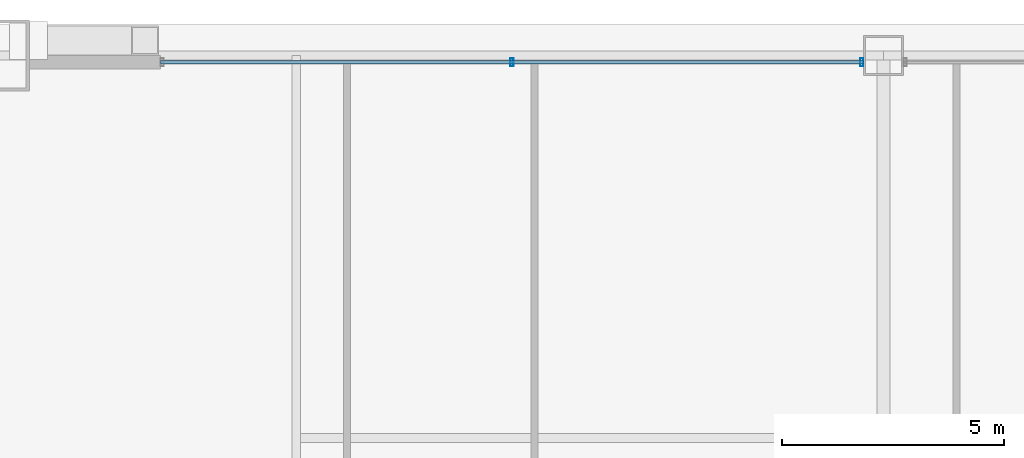
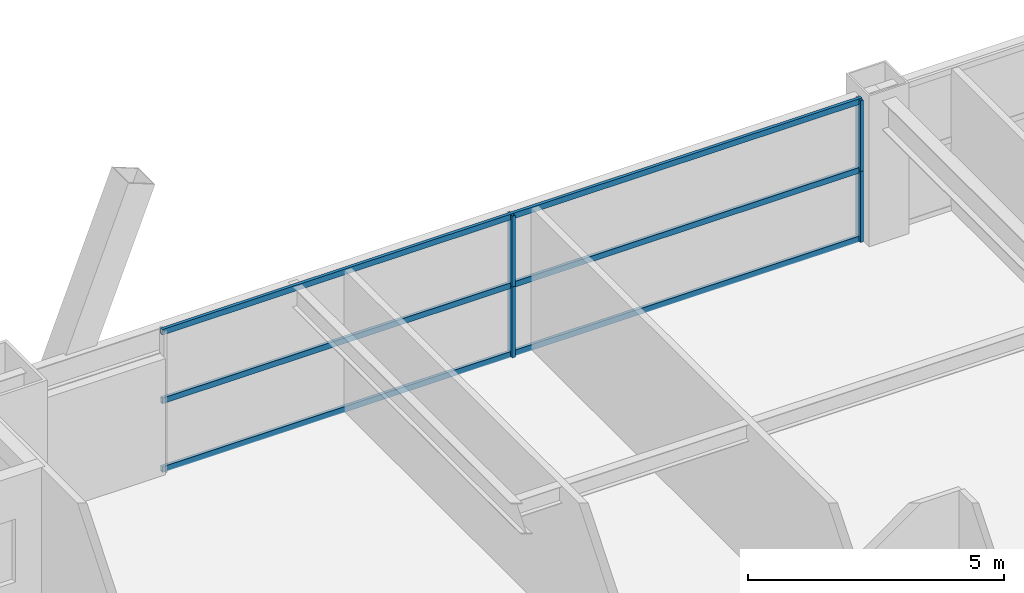
# One storey, part 28 of 41: 7 members, 1 element without a shape of its own.
"""IFC4 building model written with IfcOpenShell, lengths in metres."""

from ifc_helpers import new_model, si_unit, direction, frame, origin, origin_2d, place, context, subcontext, project, spatial, hollow_rectangle, extrude, source, transform, mapped, material, layer, layer_set, material_profile, profile_set, type_object, element, aggregate, save


model = new_model("IFC4")

# Units and contexts
model_context = context("Model", 3, precision=1e-05, world=origin(), true_north=direction((0.0, 1.0)))
body_context = subcontext(model_context, "Body", "Model", "MODEL_VIEW")
ifc_project = project(units=[si_unit("LENGTHUNIT", "METRE"), si_unit("AREAUNIT", "SQUARE_METRE"), si_unit("VOLUMEUNIT", "CUBIC_METRE"), si_unit("PLANEANGLEUNIT", "RADIAN"), si_unit("MASSUNIT", "GRAM", prefix="KILO"), si_unit("THERMODYNAMICTEMPERATUREUNIT", "KELVIN"), si_unit("POWERUNIT", "WATT")], contexts=[model_context])

# Site, building, storey
site_placement = place(None, origin())
site = spatial("IfcSite", under=ifc_project, at=site_placement, CompositionType="ELEMENT")
building_placement = place(site_placement, origin())
building = spatial("IfcBuilding", under=site, at=building_placement, Name="Yuzanri Waterfront Tower", CompositionType="ELEMENT")
storey_placement = place(building_placement, frame((0.0, 0.0, 152.39990234375)))
storey = spatial("IfcBuildingStorey", under=building, at=storey_placement, Name="L40", CompositionType="ELEMENT", Elevation=152.39990234375)

# Curtain wall, members
ifc_material_1 = material(Name="Anodized Architectural Bronze", Category="metal")
ifc_layer = layer(ifc_material_1, 0.159912109375)
ifc_layer_set = layer_set([ifc_layer], Name="Anodized Architectural Bronze")
curtain_wall_type = type_object("IfcCurtainWallType", Name="Anodized Bronze Hotel Upper-Tier Solar-Control Unitized Curtain Wall 7800", PredefinedType="NOTDEFINED", material=ifc_layer_set)
curtain_wall_placement = place(storey_placement, origin())
curtain_wall = element("IfcCurtainWall", 1, at=curtain_wall_placement, inside=storey, type_object=curtain_wall_type, Name="L40 Curtain Wall CW-L40-NL", PredefinedType="NOTDEFINED")
ifc_material_2 = material(Name="Anodized Architectural Bronze", Category="metal")
ifc_material_profile_1 = material_profile(ifc_material_2, hollow_rectangle(XDim=0.070068359375, YDim=0.179931640625, WallThickness=0.00390625, at=origin_2d()), Name="CWM 70x180")
ifc_profile_set_1 = profile_set([ifc_material_profile_1], Name="Anodized Architectural Bronze")
member_type_1 = type_object("IfcMemberType", Name="Anodized Bronze Standard Curtain-Wall Mullion 70x180", PredefinedType="MULLION", material=ifc_profile_set_1)
shared_shape_1 = source(origin(), body_context, "Body", "SweptSolid", [
    extrude(hollow_rectangle(XDim=0.070068359375, YDim=0.179931640625, WallThickness=0.00390625, at=origin_2d()), origin(), (0.0, 0.0, 1.0), 1.68798828125),
])
member_1_placement = place(storey_placement, frame((28.64990234375, 49.25, 0.0), z_axis=(0.0, 0.0, 1.0), x_axis=(1.0, 0.0, 0.0)))
member_1 = element("IfcMember", 2, at=member_1_placement, type_object=member_type_1, Name="CW-L40-NL Lower Mullion 01", PredefinedType="MULLION", context=body_context, shape_type="MappedRepresentation", body=[
    mapped(shared_shape_1, transform((0.0, 0.0, 0.0), scale=1.0)),
])
member_2_placement = place(storey_placement, frame((28.64990234375, 49.25, 1.692138671875), z_axis=(0.0, 0.0, 1.0), x_axis=(1.0, 0.0, 0.0)))
member_2 = element("IfcMember", 3, at=member_2_placement, type_object=member_type_1, Name="CW-L40-NL Upper Mullion 01", PredefinedType="MULLION", context=body_context, shape_type="MappedRepresentation", body=[
    mapped(shared_shape_1, transform((0.0, 0.0, 0.0), scale=1.0)),
])
member_3_placement = place(storey_placement, frame((36.510009765625, 49.25, 0.0), z_axis=(0.0, 0.0, 1.0), x_axis=(1.0, 0.0, 0.0)))
member_3 = element("IfcMember", 4, at=member_3_placement, type_object=member_type_1, Name="CW-L40-NL Lower Mullion 02", PredefinedType="MULLION", context=body_context, shape_type="MappedRepresentation", body=[
    mapped(shared_shape_1, transform((0.0, 0.0, 0.0), scale=1.0)),
])
member_4_placement = place(storey_placement, frame((36.510009765625, 49.25, 1.692138671875), z_axis=(0.0, 0.0, 1.0), x_axis=(1.0, 0.0, 0.0)))
member_4 = element("IfcMember", 5, at=member_4_placement, type_object=member_type_1, Name="CW-L40-NL Upper Mullion 02", PredefinedType="MULLION", context=body_context, shape_type="MappedRepresentation", body=[
    mapped(shared_shape_1, transform((0.0, 0.0, 0.0), scale=1.0)),
])
ifc_material_3 = material(Name="Anodized Architectural Bronze", Category="metal")
ifc_material_profile_2 = material_profile(ifc_material_3, hollow_rectangle(XDim=0.070068359375, YDim=0.135009765625, WallThickness=0.00341796875, at=origin_2d()), Name="CWT 70x135")
ifc_profile_set_2 = profile_set([ifc_material_profile_2], Name="Anodized Architectural Bronze")
member_type_2 = type_object("IfcMemberType", Name="Anodized Bronze Standard Curtain-Wall Transom 70x135", PredefinedType="USERDEFINED", material=ifc_profile_set_2)
shared_shape_2 = source(origin(), body_context, "Body", "SweptSolid", [
    extrude(hollow_rectangle(XDim=0.070068359375, YDim=0.135009765625, WallThickness=0.00341796875, at=origin_2d()), origin(), (0.0, 0.0, 1.0), 15.800048828125),
])
member_5_placement = place(storey_placement, frame((20.75, 49.25, 0.050048828125), z_axis=(1.0, 0.0, 0.0), x_axis=(0.0, 1.0, 0.0)))
member_5 = element("IfcMember", 6, at=member_5_placement, type_object=member_type_2, Name="CW-L40-NL Transom 1", ObjectType="TRANSOM", PredefinedType="USERDEFINED", context=body_context, shape_type="MappedRepresentation", body=[
    mapped(shared_shape_2, transform((0.0, 0.0, 0.0), scale=1.0)),
])
member_6_placement = place(storey_placement, frame((20.75, 49.25, 1.690185546875), z_axis=(1.0, 0.0, 0.0), x_axis=(0.0, 1.0, 0.0)))
member_6 = element("IfcMember", 7, at=member_6_placement, type_object=member_type_2, Name="CW-L40-NL Transom 2", ObjectType="TRANSOM", PredefinedType="USERDEFINED", context=body_context, shape_type="MappedRepresentation", body=[
    mapped(shared_shape_2, transform((0.0, 0.0, 0.0), scale=1.0)),
])
member_7_placement = place(storey_placement, frame((20.75, 49.25, 3.330078125), z_axis=(1.0, 0.0, 0.0), x_axis=(0.0, 1.0, 0.0)))
member_7 = element("IfcMember", 8, at=member_7_placement, type_object=member_type_2, Name="CW-L40-NL Transom 3", ObjectType="TRANSOM", PredefinedType="USERDEFINED", context=body_context, shape_type="MappedRepresentation", body=[
    mapped(shared_shape_2, transform((0.0, 0.0, 0.0), scale=1.0)),
])
aggregate(curtain_wall, [member_1, member_2, member_3, member_4, member_5, member_6, member_7])

save(model, "model.ifc")
